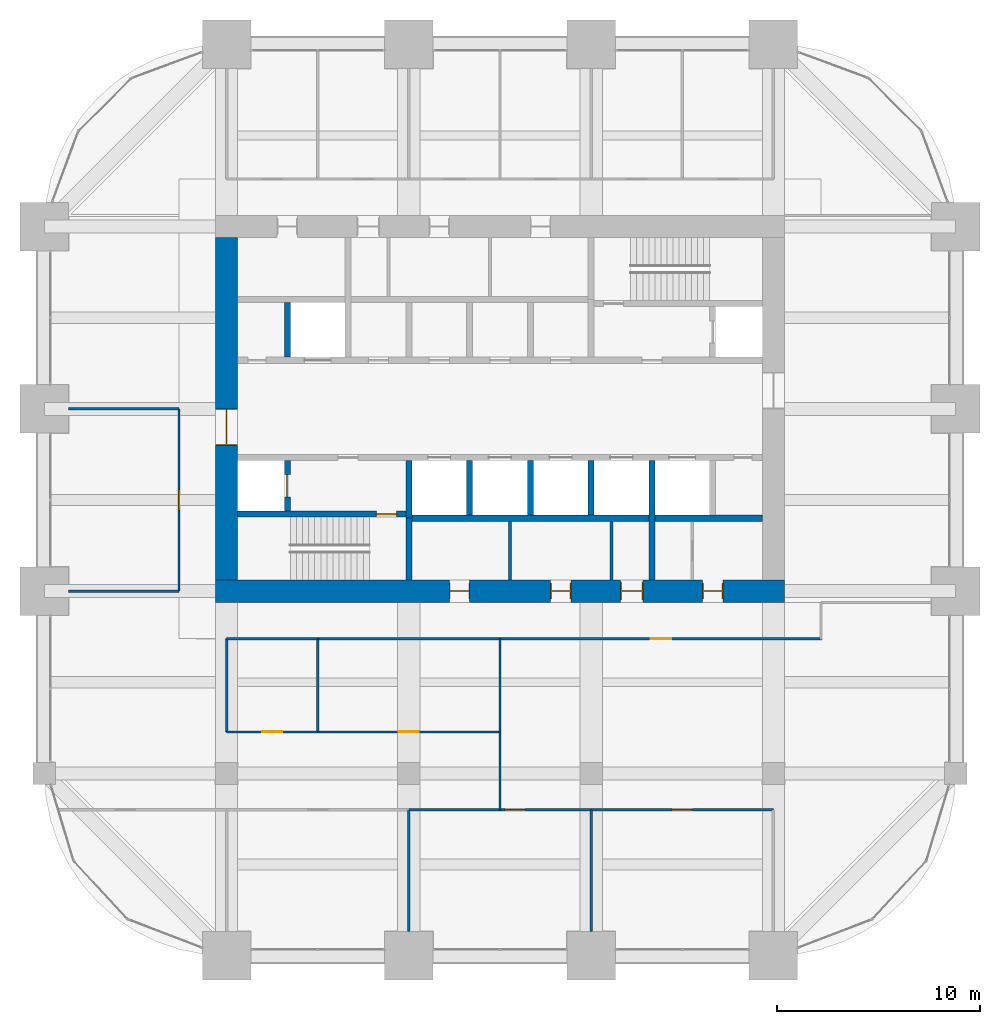
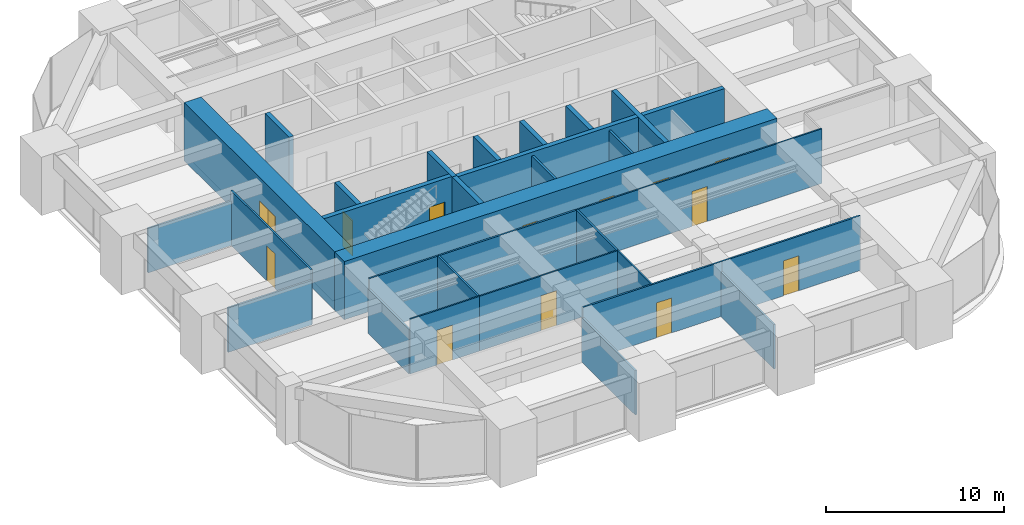
# One storey, part 42 of 45: 30 walls, 13 doors, 13 openings.
"""IFC4 building model written with IfcOpenShell, lengths in metres."""

from ifc_helpers import new_model, si_unit, direction, frame, frame_2d, origin, place, context, subcontext, project, spatial, rectangle, extrude, material, layer, layer_set, type_object, element, fill, save


model = new_model("IFC4")

# Units and contexts
model_context = context("Model", 3, precision=1e-05, world=origin(), true_north=direction((0.0, 1.0)))
body_context = subcontext(model_context, "Body", "Model", "MODEL_VIEW")
ifc_project = project(units=[si_unit("LENGTHUNIT", "METRE"), si_unit("AREAUNIT", "SQUARE_METRE"), si_unit("VOLUMEUNIT", "CUBIC_METRE"), si_unit("PLANEANGLEUNIT", "RADIAN"), si_unit("MASSUNIT", "GRAM", prefix="KILO")], contexts=[model_context])

# Site, building, storey
site_placement = place(None, origin())
site = spatial("IfcSite", under=ifc_project, at=site_placement, CompositionType="ELEMENT")
building_placement = place(site_placement, origin())
building = spatial("IfcBuilding", under=site, at=building_placement, Name="Zorevar Civic Tower", CompositionType="ELEMENT")
storey_placement = place(building_placement, frame((0.0, 0.0, 247.39990234375)))
storey = spatial("IfcBuildingStorey", under=building, at=storey_placement, Name="L60", CompositionType="ELEMENT", Elevation=247.39990234375)

# Wall, openings, doors
ifc_material_1 = material(Name="Concrete C50/60", Category="concrete")
ifc_layer_1 = layer(ifc_material_1, 1.10009765625)
ifc_layer_set_1 = layer_set([ifc_layer_1], Name="Core wall 1100")
wall_type_1 = type_object("IfcWallType", Name="Core wall 1100", PredefinedType="SHEAR", material=ifc_layer_set_1)
wall_1_placement = place(storey_placement, frame((17.449951171875, 18.0, 0.0), z_axis=(0.0, 0.0, 1.0), x_axis=(1.0, 0.0, 0.0)))
wall_1 = element("IfcWall", 1, at=wall_1_placement, inside=storey, type_object=wall_type_1, Name="Core wall S L60", PredefinedType="SHEAR", context=body_context, shape_type="SweptSolid", body=[
    extrude(rectangle(XDim=28.10009765625, YDim=1.10009765625, at=frame_2d((14.050048828125, 0.0))), origin(), (0.0, 0.0, 1.0), 4.0),
])
opening_1_placement = place(wall_1_placement, frame((11.550048828125, 0.0, 0.0)))
opening_1 = element("IfcOpeningElement", 2, at=opening_1_placement, cuts=wall_1, Name="Opening L60.03", PredefinedType="OPENING", context=body_context, shape_type="SweptSolid", body=[
    extrude(rectangle(XDim=1.0, YDim=2.39990234375, at=frame_2d((0.5, 1.199951171875))), frame((0.0, 0.56005859375, 0.0), z_axis=(0.0, -1.0, 0.0), x_axis=(1.0, 0.0, 0.0)), (0.0, 0.0, 1.0), 1.1201171875),
])
opening_2_placement = place(wall_1_placement, frame((16.550048828125, 0.0, 0.0)))
opening_2 = element("IfcOpeningElement", 3, at=opening_2_placement, cuts=wall_1, Name="Opening L60.04", PredefinedType="OPENING", context=body_context, shape_type="SweptSolid", body=[
    extrude(rectangle(XDim=1.0, YDim=2.39990234375, at=frame_2d((0.5, 1.199951171875))), frame((0.0, 0.56005859375, 0.0), z_axis=(0.0, -1.0, 0.0), x_axis=(1.0, 0.0, 0.0)), (0.0, 0.0, 1.0), 1.1201171875),
])
opening_3_placement = place(wall_1_placement, frame((20.0, 0.0, 0.0)))
opening_3 = element("IfcOpeningElement", 4, at=opening_3_placement, cuts=wall_1, Name="Opening L60.05", PredefinedType="OPENING", context=body_context, shape_type="SweptSolid", body=[
    extrude(rectangle(XDim=1.10009765625, YDim=2.39990234375, at=frame_2d((0.550048828125, 1.199951171875))), frame((0.0, 0.56005859375, 0.0), z_axis=(0.0, -1.0, 0.0), x_axis=(1.0, 0.0, 0.0)), (0.0, 0.0, 1.0), 1.1201171875),
])
opening_4_placement = place(wall_1_placement, frame((24.050048828125, 0.0, 0.0)))
opening_4 = element("IfcOpeningElement", 5, at=opening_4_placement, cuts=wall_1, Name="Opening L60.06", PredefinedType="OPENING", context=body_context, shape_type="SweptSolid", body=[
    extrude(rectangle(XDim=1.0, YDim=2.39990234375, at=frame_2d((0.5, 1.199951171875))), frame((0.0, 0.56005859375, 0.0), z_axis=(0.0, -1.0, 0.0), x_axis=(1.0, 0.0, 0.0)), (0.0, 0.0, 1.0), 1.1201171875),
])
ifc_material_2 = material(Name="Timber door set", Category="wood")
door_type_1 = type_object("IfcDoorType", Name="Door D1 1000x2400", OperationType="SINGLE_SWING_LEFT", PredefinedType="DOOR", material=ifc_material_2)
door_1_placement = place(opening_1_placement, origin())
door_1 = element("IfcDoor", 6, at=door_1_placement, inside=storey, type_object=door_type_1, Name="Door L60 02", OperationType="SINGLE_SWING_LEFT", OverallHeight=2.39990234375, OverallWidth=1.0, PredefinedType="DOOR", context=body_context, shape_type="SweptSolid", body=[
    extrude(rectangle(XDim=1.0, YDim=2.39990234375, at=frame_2d((0.5, 1.199951171875))), frame((0.0, 0.02490234375, 0.0), z_axis=(0.0, -1.0, 0.0), x_axis=(1.0, 0.0, 0.0)), (0.0, 0.0, 1.0), 0.050048828125),
    extrude(rectangle(XDim=0.04, YDim=2.39990234375, at=frame_2d((0.02001953125, 1.199951171875))), frame((0.0, 0.39990234375, 0.0), z_axis=(0.0, -1.0, 0.0), x_axis=(1.0, 0.0, 0.0)), (0.0, 0.0, 1.0), 0.800048828125),
    extrude(rectangle(XDim=0.04, YDim=2.39990234375, at=frame_2d((0.97998046875, 1.199951171875))), frame((0.0, 0.39990234375, 0.0), z_axis=(0.0, -1.0, 0.0), x_axis=(1.0, 0.0, 0.0)), (0.0, 0.0, 1.0), 0.800048828125),
    extrude(rectangle(XDim=1.0, YDim=0.04, at=frame_2d((0.5, 2.3798828125))), frame((0.0, 0.39990234375, 0.0), z_axis=(0.0, -1.0, 0.0), x_axis=(1.0, 0.0, 0.0)), (0.0, 0.0, 1.0), 0.800048828125),
])
fill(opening_1, door_1)
door_2_placement = place(opening_2_placement, origin())
door_2 = element("IfcDoor", 7, at=door_2_placement, inside=storey, type_object=door_type_1, Name="Door L60 03", OperationType="SINGLE_SWING_RIGHT", OverallHeight=2.39990234375, OverallWidth=1.0, PredefinedType="DOOR", context=body_context, shape_type="SweptSolid", body=[
    extrude(rectangle(XDim=1.0, YDim=2.39990234375, at=frame_2d((0.5, 1.199951171875))), frame((0.0, 0.02490234375, 0.0), z_axis=(0.0, -1.0, 0.0), x_axis=(1.0, 0.0, 0.0)), (0.0, 0.0, 1.0), 0.050048828125),
    extrude(rectangle(XDim=0.04, YDim=2.39990234375, at=frame_2d((0.02001953125, 1.199951171875))), frame((0.0, 0.39990234375, 0.0), z_axis=(0.0, -1.0, 0.0), x_axis=(1.0, 0.0, 0.0)), (0.0, 0.0, 1.0), 0.800048828125),
    extrude(rectangle(XDim=0.04, YDim=2.39990234375, at=frame_2d((0.97998046875, 1.199951171875))), frame((0.0, 0.39990234375, 0.0), z_axis=(0.0, -1.0, 0.0), x_axis=(1.0, 0.0, 0.0)), (0.0, 0.0, 1.0), 0.800048828125),
    extrude(rectangle(XDim=1.0, YDim=0.04, at=frame_2d((0.5, 2.3798828125))), frame((0.0, 0.39990234375, 0.0), z_axis=(0.0, -1.0, 0.0), x_axis=(1.0, 0.0, 0.0)), (0.0, 0.0, 1.0), 0.800048828125),
])
fill(opening_2, door_2)
door_3_placement = place(opening_4_placement, origin())
door_3 = element("IfcDoor", 8, at=door_3_placement, inside=storey, type_object=door_type_1, Name="Door L60 05", OperationType="SINGLE_SWING_RIGHT", OverallHeight=2.39990234375, OverallWidth=1.0, PredefinedType="DOOR", context=body_context, shape_type="SweptSolid", body=[
    extrude(rectangle(XDim=1.0, YDim=2.39990234375, at=frame_2d((0.5, 1.199951171875))), frame((0.0, 0.02490234375, 0.0), z_axis=(0.0, -1.0, 0.0), x_axis=(1.0, 0.0, 0.0)), (0.0, 0.0, 1.0), 0.050048828125),
    extrude(rectangle(XDim=0.04, YDim=2.39990234375, at=frame_2d((0.02001953125, 1.199951171875))), frame((0.0, 0.39990234375, 0.0), z_axis=(0.0, -1.0, 0.0), x_axis=(1.0, 0.0, 0.0)), (0.0, 0.0, 1.0), 0.800048828125),
    extrude(rectangle(XDim=0.04, YDim=2.39990234375, at=frame_2d((0.97998046875, 1.199951171875))), frame((0.0, 0.39990234375, 0.0), z_axis=(0.0, -1.0, 0.0), x_axis=(1.0, 0.0, 0.0)), (0.0, 0.0, 1.0), 0.800048828125),
    extrude(rectangle(XDim=1.0, YDim=0.04, at=frame_2d((0.5, 2.3798828125))), frame((0.0, 0.39990234375, 0.0), z_axis=(0.0, -1.0, 0.0), x_axis=(1.0, 0.0, 0.0)), (0.0, 0.0, 1.0), 0.800048828125),
])
fill(opening_4, door_3)
ifc_material_3 = material(Name="Timber door set", Category="wood")
door_type_2 = type_object("IfcDoorType", Name="Door D5 1100x2400", OperationType="SINGLE_SWING_LEFT", PredefinedType="DOOR", material=ifc_material_3)
door_4_placement = place(opening_3_placement, origin())
door_4 = element("IfcDoor", 9, at=door_4_placement, inside=storey, type_object=door_type_2, Name="Door L60 04", OperationType="SINGLE_SWING_RIGHT", OverallHeight=2.39990234375, OverallWidth=1.10009765625, PredefinedType="DOOR", context=body_context, shape_type="SweptSolid", body=[
    extrude(rectangle(XDim=1.10009765625, YDim=2.39990234375, at=frame_2d((0.550048828125, 1.199951171875))), frame((0.0, 0.02490234375, 0.0), z_axis=(0.0, -1.0, 0.0), x_axis=(1.0, 0.0, 0.0)), (0.0, 0.0, 1.0), 0.050048828125),
    extrude(rectangle(XDim=0.04, YDim=2.39990234375, at=frame_2d((0.02001953125, 1.199951171875))), frame((0.0, 0.43994140625, 0.0), z_axis=(0.0, -1.0, 0.0), x_axis=(1.0, 0.0, 0.0)), (0.0, 0.0, 1.0), 0.880126953125),
    extrude(rectangle(XDim=0.04, YDim=2.39990234375, at=frame_2d((1.080078125, 1.199951171875))), frame((0.0, 0.43994140625, 0.0), z_axis=(0.0, -1.0, 0.0), x_axis=(1.0, 0.0, 0.0)), (0.0, 0.0, 1.0), 0.880126953125),
    extrude(rectangle(XDim=1.10009765625, YDim=0.04, at=frame_2d((0.550048828125, 2.3798828125))), frame((0.0, 0.43994140625, 0.0), z_axis=(0.0, -1.0, 0.0), x_axis=(1.0, 0.0, 0.0)), (0.0, 0.0, 1.0), 0.880126953125),
])
fill(opening_3, door_4)

# Wall, opening, door
wall_2_placement = place(storey_placement, frame((18.0, 35.449951171875, 0.0), z_axis=(0.0, 0.0, 1.0), x_axis=(0.0, -1.0, 0.0)))
wall_2 = element("IfcWall", 10, at=wall_2_placement, inside=storey, type_object=wall_type_1, Name="Core wall W L60", PredefinedType="SHEAR", context=body_context, shape_type="SweptSolid", body=[
    extrude(rectangle(XDim=16.89990234375, YDim=1.10009765625, at=frame_2d((8.449951171875, 0.0))), origin(), (0.0, 0.0, 1.0), 4.0),
])
opening_5_placement = place(wall_2_placement, frame((8.449951171875, 0.0, 0.0)))
opening_5 = element("IfcOpeningElement", 11, at=opening_5_placement, cuts=wall_2, Name="Opening L60.01", PredefinedType="OPENING", context=body_context, shape_type="SweptSolid", body=[
    extrude(rectangle(XDim=1.800048828125, YDim=2.39990234375, at=frame_2d((0.89990234375, 1.199951171875))), frame((0.0, 0.56005859375, 0.0), z_axis=(0.0, -1.0, 0.0), x_axis=(1.0, 0.0, 0.0)), (0.0, 0.0, 1.0), 1.1201171875),
])
ifc_material_4 = material(Name="Steel door set", Category="steel")
door_type_3 = type_object("IfcDoorType", Name="Fire door FD2 1800x2400", OperationType="DOUBLE_DOOR_DOUBLE_SWING", PredefinedType="DOOR", material=ifc_material_4)
door_5_placement = place(opening_5_placement, origin())
door_5 = element("IfcDoor", 12, at=door_5_placement, inside=storey, type_object=door_type_3, Name="Door L60 00", OperationType="DOUBLE_DOOR_DOUBLE_SWING", OverallHeight=2.39990234375, OverallWidth=1.800048828125, PredefinedType="DOOR", context=body_context, shape_type="SweptSolid", body=[
    extrude(rectangle(XDim=1.800048828125, YDim=2.39990234375, at=frame_2d((0.89990234375, 1.199951171875))), frame((0.0, 0.030029296875, 0.0), z_axis=(0.0, -1.0, 0.0), x_axis=(1.0, 0.0, 0.0)), (0.0, 0.0, 1.0), 0.06005859375),
    extrude(rectangle(XDim=0.04, YDim=2.39990234375, at=frame_2d((0.02001953125, 1.199951171875))), frame((0.0, 0.5498046875, 0.0), z_axis=(0.0, -1.0, 0.0), x_axis=(1.0, 0.0, 0.0)), (0.0, 0.0, 1.0), 1.099609375),
    extrude(rectangle(XDim=0.04, YDim=2.39990234375, at=frame_2d((1.780029296875, 1.199951171875))), frame((0.0, 0.5498046875, 0.0), z_axis=(0.0, -1.0, 0.0), x_axis=(1.0, 0.0, 0.0)), (0.0, 0.0, 1.0), 1.099609375),
    extrude(rectangle(XDim=1.800048828125, YDim=0.04, at=frame_2d((0.89990234375, 2.3798828125))), frame((0.0, 0.5498046875, 0.0), z_axis=(0.0, -1.0, 0.0), x_axis=(1.0, 0.0, 0.0)), (0.0, 0.0, 1.0), 1.099609375),
])
fill(opening_5, door_5)

ifc_material_5 = material(Name="Laminated glass in black aluminium frame", Category="aluminium")
ifc_layer_2 = layer(ifc_material_5, 0.10009765625)
ifc_layer_set_2 = layer_set([ifc_layer_2], Name="Glazed partition 100")
wall_type_2 = type_object("IfcWallType", Name="Glazed partition 100", PredefinedType="PARTITIONING", material=ifc_layer_set_2)
wall_3_placement = place(storey_placement, frame((18.0, 11.050048828125, 0.0), z_axis=(0.0, 0.0, 1.0), x_axis=(1.0, 0.0, 0.0)))
wall_3 = element("IfcWall", 13, at=wall_3_placement, inside=storey, type_object=wall_type_2, Name="Glazed partition 100 L60", PredefinedType="PARTITIONING", context=body_context, shape_type="SweptSolid", body=[
    extrude(rectangle(XDim=4.5, YDim=0.10009765625, at=frame_2d((2.25, 0.0))), origin(), (0.0, 0.0, 1.0), 3.75),
])
opening_6_placement = place(wall_3_placement, frame((1.75, 0.0, 0.0)))
opening_6 = element("IfcOpeningElement", 14, at=opening_6_placement, cuts=wall_3, Name="Opening L60.21", PredefinedType="OPENING", context=body_context, shape_type="SweptSolid", body=[
    extrude(rectangle(XDim=1.0, YDim=2.39990234375, at=frame_2d((0.5, 1.199951171875))), frame((0.0, 0.06005859375, 0.0), z_axis=(0.0, -1.0, 0.0), x_axis=(1.0, 0.0, 0.0)), (0.0, 0.0, 1.0), 0.1201171875),
])
ifc_material_6 = material(Name="Timber door set", Category="wood")
door_type_4 = type_object("IfcDoorType", Name="Glazed door GD1 1000x2400", OperationType="SINGLE_SWING_LEFT", PredefinedType="DOOR", material=ifc_material_6)
door_6_placement = place(opening_6_placement, origin())
door_6 = element("IfcDoor", 15, at=door_6_placement, inside=storey, type_object=door_type_4, Name="Door L60 D1", OperationType="SINGLE_SWING_LEFT", OverallHeight=2.39990234375, OverallWidth=1.0, PredefinedType="DOOR", context=body_context, shape_type="SweptSolid", body=[
    extrude(rectangle(XDim=1.0, YDim=2.39990234375, at=frame_2d((0.5, 1.199951171875))), frame((0.0, 0.02001953125, 0.0), z_axis=(0.0, -1.0, 0.0), x_axis=(1.0, 0.0, 0.0)), (0.0, 0.0, 1.0), 0.0400390625),
])
fill(opening_6, door_6)

wall_4_placement = place(storey_placement, frame((22.5, 11.050048828125, 0.0), z_axis=(0.0, 0.0, 1.0), x_axis=(1.0, 0.0, 0.0)))
wall_4 = element("IfcWall", 16, at=wall_4_placement, inside=storey, type_object=wall_type_2, Name="Glazed partition 100 L60", PredefinedType="PARTITIONING", context=body_context, shape_type="SweptSolid", body=[
    extrude(rectangle(XDim=9.0, YDim=0.10009765625, at=frame_2d((4.5, 0.0))), origin(), (0.0, 0.0, 1.0), 3.75),
])
opening_7_placement = place(wall_4_placement, frame((4.0, 0.0, 0.0)))
opening_7 = element("IfcOpeningElement", 17, at=opening_7_placement, cuts=wall_4, Name="Opening L60.22", PredefinedType="OPENING", context=body_context, shape_type="SweptSolid", body=[
    extrude(rectangle(XDim=1.0, YDim=2.39990234375, at=frame_2d((0.5, 1.199951171875))), frame((0.0, 0.06005859375, 0.0), z_axis=(0.0, -1.0, 0.0), x_axis=(1.0, 0.0, 0.0)), (0.0, 0.0, 1.0), 0.1201171875),
])
door_7_placement = place(opening_7_placement, origin())
door_7 = element("IfcDoor", 18, at=door_7_placement, inside=storey, type_object=door_type_4, Name="Door L60 D1", OperationType="SINGLE_SWING_RIGHT", OverallHeight=2.39990234375, OverallWidth=1.0, PredefinedType="DOOR", context=body_context, shape_type="SweptSolid", body=[
    extrude(rectangle(XDim=1.0, YDim=2.39990234375, at=frame_2d((0.5, 1.199951171875))), frame((0.0, 0.02001953125, 0.0), z_axis=(0.0, -1.0, 0.0), x_axis=(1.0, 0.0, 0.0)), (0.0, 0.0, 1.0), 0.0400390625),
])
fill(opening_7, door_7)

wall_5_placement = place(storey_placement, frame((31.510009765625, 15.64990234375, 0.0), z_axis=(0.0, 0.0, 1.0), x_axis=(1.0, 0.0, 0.0)))
wall_5 = element("IfcWall", 19, at=wall_5_placement, inside=storey, type_object=wall_type_2, Name="Glazed partition 100 L60", PredefinedType="PARTITIONING", context=body_context, shape_type="SweptSolid", body=[
    extrude(rectangle(XDim=15.889892578125, YDim=0.10009765625, at=frame_2d((7.94482421875, 0.0))), origin(), (0.0, 0.0, 1.0), 3.75),
])
opening_8_placement = place(wall_5_placement, frame((7.445068359375, 0.0, 0.0)))
opening_8 = element("IfcOpeningElement", 20, at=opening_8_placement, cuts=wall_5, Name="Opening L60.23", PredefinedType="OPENING", context=body_context, shape_type="SweptSolid", body=[
    extrude(rectangle(XDim=1.0, YDim=2.39990234375, at=frame_2d((0.5, 1.199951171875))), frame((0.0, 0.06005859375, 0.0), z_axis=(0.0, -1.0, 0.0), x_axis=(1.0, 0.0, 0.0)), (0.0, 0.0, 1.0), 0.1201171875),
])
door_8_placement = place(opening_8_placement, origin())
door_8 = element("IfcDoor", 21, at=door_8_placement, inside=storey, type_object=door_type_4, Name="Door L60 D1", OperationType="SINGLE_SWING_LEFT", OverallHeight=2.39990234375, OverallWidth=1.0, PredefinedType="DOOR", context=body_context, shape_type="SweptSolid", body=[
    extrude(rectangle(XDim=1.0, YDim=2.39990234375, at=frame_2d((0.5, 1.199951171875))), frame((0.0, 0.02001953125, 0.0), z_axis=(0.0, -1.0, 0.0), x_axis=(1.0, 0.0, 0.0)), (0.0, 0.0, 1.0), 0.0400390625),
])
fill(opening_8, door_8)

# Wall
wall_6_placement = place(storey_placement, frame((31.5, 7.18994140625, 0.0), z_axis=(0.0, 0.0, 1.0), x_axis=(0.0, 1.0, 0.0)))
element("IfcWall", 22, at=wall_6_placement, inside=storey, type_object=wall_type_2, Name="Glazed partition 100 L60", PredefinedType="PARTITIONING", context=body_context, shape_type="SweptSolid", body=[
    extrude(rectangle(XDim=3.860107421875, YDim=0.10009765625, at=frame_2d((1.93017578125, 0.0))), origin(), (0.0, 0.0, 1.0), 3.75),
])

# Wall, opening, door
ifc_material_7 = material(Name="Concrete C40/50", Category="concrete")
ifc_layer_3 = layer(ifc_material_7, 0.300048828125)
ifc_layer_set_3 = layer_set([ifc_layer_3], Name="Inner core wall 300")
wall_type_3 = type_object("IfcWallType", Name="Inner core wall 300", PredefinedType="SHEAR", material=ifc_layer_set_3)
wall_7_placement = place(storey_placement, frame((18.550048828125, 21.800048828125, 0.0), z_axis=(0.0, 0.0, 1.0), x_axis=(1.0, 0.0, 0.0)))
wall_7 = element("IfcWall", 23, at=wall_7_placement, inside=storey, type_object=wall_type_3, Name="Inner core wall S00 L60", PredefinedType="SHEAR", context=body_context, shape_type="SweptSolid", body=[
    extrude(rectangle(XDim=8.300048828125, YDim=0.300048828125, at=frame_2d((4.14990234375, 0.0))), origin(), (0.0, 0.0, 1.0), 4.0),
])
opening_9_placement = place(wall_7_placement, frame((6.85009765625, 0.0, 0.0)))
opening_9 = element("IfcOpeningElement", 24, at=opening_9_placement, cuts=wall_7, Name="Opening L60.11", PredefinedType="OPENING", context=body_context, shape_type="SweptSolid", body=[
    extrude(rectangle(XDim=1.0, YDim=2.39990234375, at=frame_2d((0.5, 1.199951171875))), frame((0.0, 0.159912109375, 0.0), z_axis=(0.0, -1.0, 0.0), x_axis=(1.0, 0.0, 0.0)), (0.0, 0.0, 1.0), 0.320068359375),
])
ifc_material_8 = material(Name="Steel door set", Category="steel")
door_type_5 = type_object("IfcDoorType", Name="Fire door FD1 1000x2400", OperationType="SINGLE_SWING_LEFT", PredefinedType="DOOR", material=ifc_material_8)
door_9_placement = place(opening_9_placement, origin())
door_9 = element("IfcDoor", 25, at=door_9_placement, inside=storey, type_object=door_type_5, Name="Door L60 10", OperationType="SINGLE_SWING_RIGHT", OverallHeight=2.39990234375, OverallWidth=1.0, PredefinedType="DOOR", context=body_context, shape_type="SweptSolid", body=[
    extrude(rectangle(XDim=1.0, YDim=2.39990234375, at=frame_2d((0.5, 1.199951171875))), frame((0.0, 0.030029296875, 0.0), z_axis=(0.0, -1.0, 0.0), x_axis=(1.0, 0.0, 0.0)), (0.0, 0.0, 1.0), 0.06005859375),
])
fill(opening_9, door_9)

# Wall
wall_8_placement = place(storey_placement, frame((27.0, 18.550048828125, 0.0), z_axis=(0.0, 0.0, 1.0), x_axis=(0.0, 1.0, 0.0)))
element("IfcWall", 26, at=wall_8_placement, inside=storey, type_object=wall_type_3, Name="Inner core wall S01 L60", PredefinedType="SHEAR", context=body_context, shape_type="SweptSolid", body=[
    extrude(rectangle(XDim=3.050048828125, YDim=0.300048828125, at=frame_2d((1.52490234375, 0.0))), origin(), (0.0, 0.0, 1.0), 4.0),
])

# Wall, opening, door
wall_9_placement = place(storey_placement, frame((21.0, 21.949951171875, 0.0), z_axis=(0.0, 0.0, 1.0), x_axis=(0.0, 1.0, 0.0)))
wall_9 = element("IfcWall", 27, at=wall_9_placement, inside=storey, type_object=wall_type_3, Name="Inner core wall S02 L60", PredefinedType="SHEAR", context=body_context, shape_type="SweptSolid", body=[
    extrude(rectangle(XDim=2.5, YDim=0.300048828125, at=frame_2d((1.25, 0.0))), origin(), (0.0, 0.0, 1.0), 4.0),
])
opening_10_placement = place(wall_9_placement, frame((0.699951171875, 0.0, 0.0)))
opening_10 = element("IfcOpeningElement", 28, at=opening_10_placement, cuts=wall_9, Name="Opening L60.FL1", PredefinedType="OPENING", context=body_context, shape_type="SweptSolid", body=[
    extrude(rectangle(XDim=1.10009765625, YDim=2.39990234375, at=frame_2d((0.550048828125, 1.199951171875))), frame((0.0, 0.159912109375, 0.0), z_axis=(0.0, -1.0, 0.0), x_axis=(1.0, 0.0, 0.0)), (0.0, 0.0, 1.0), 0.320068359375),
])
ifc_material_9 = material(Name="Steel door set", Category="steel")
door_type_6 = type_object("IfcDoorType", Name="Firefighting lift landing door LD3 1100x2400", OperationType="DOUBLE_DOOR_SLIDING", PredefinedType="DOOR", material=ifc_material_9)
door_10_placement = place(opening_10_placement, origin())
door_10 = element("IfcDoor", 29, at=door_10_placement, inside=storey, type_object=door_type_6, Name="Landing door FL1 L60", OperationType="DOUBLE_DOOR_SLIDING", OverallHeight=2.39990234375, OverallWidth=1.10009765625, PredefinedType="DOOR", context=body_context, shape_type="SweptSolid", body=[
    extrude(rectangle(XDim=1.10009765625, YDim=2.39990234375, at=frame_2d((0.550048828125, 1.199951171875))), frame((0.0, 0.030029296875, 0.0), z_axis=(0.0, -1.0, 0.0), x_axis=(1.0, 0.0, 0.0)), (0.0, 0.0, 1.0), 0.06005859375),
])
fill(opening_10, door_10)

# Walls
wall_10_placement = place(storey_placement, frame((27.14990234375, 21.60009765625, 0.0), z_axis=(0.0, 0.0, 1.0), x_axis=(1.0, 0.0, 0.0)))
element("IfcWall", 30, at=wall_10_placement, inside=storey, type_object=wall_type_3, Name="Inner core wall S04 L60", PredefinedType="SHEAR", context=body_context, shape_type="SweptSolid", body=[
    extrude(rectangle(XDim=17.300048828125, YDim=0.300048828125, at=frame_2d((8.64990234375, 0.0))), origin(), (0.0, 0.0, 1.0), 4.0),
])
for number, where, z_axis, x_axis, name in (
    (31, (30.0, 21.75, 0.0), (0.0, 0.0, 1.0), (0.0, 1.0, 0.0), "Inner core wall S05 L60"),
    (32, (33.0, 21.75, 0.0), (0.0, 0.0, 1.0), (0.0, 1.0, 0.0), "Inner core wall S06 L60"),
    (33, (36.0, 21.75, 0.0), (0.0, 0.0, 1.0), (0.0, 1.0, 0.0), "Inner core wall S07 L60"),
):
    element("IfcWall", number, at=place(storey_placement, frame(where, z_axis=z_axis, x_axis=x_axis)), inside=storey, type_object=wall_type_3, Name=name, PredefinedType="SHEAR", context=body_context, shape_type="SweptSolid", body=[
        extrude(rectangle(XDim=2.699951171875, YDim=0.300048828125, at=frame_2d((1.35009765625, 0.0))), origin(), (0.0, 0.0, 1.0), 4.0),
    ])
wall_11_placement = place(storey_placement, frame((39.0, 18.550048828125, 0.0), z_axis=(0.0, 0.0, 1.0), x_axis=(0.0, 1.0, 0.0)))
element("IfcWall", 34, at=wall_11_placement, inside=storey, type_object=wall_type_3, Name="Inner core wall S08 L60", PredefinedType="SHEAR", context=body_context, shape_type="SweptSolid", body=[
    extrude(rectangle(XDim=5.89990234375, YDim=0.300048828125, at=frame_2d((2.949951171875, 0.0))), origin(), (0.0, 0.0, 1.0), 4.0),
])
wall_12_placement = place(storey_placement, frame((21.0, 29.550048828125, 0.0), z_axis=(0.0, 0.0, 1.0), x_axis=(0.0, 1.0, 0.0)))
element("IfcWall", 35, at=wall_12_placement, inside=storey, type_object=wall_type_3, Name="Inner core wall N09 L60", PredefinedType="SHEAR", context=body_context, shape_type="SweptSolid", body=[
    extrude(rectangle(XDim=2.699951171875, YDim=0.300048828125, at=frame_2d((1.35009765625, 0.0))), origin(), (0.0, 0.0, 1.0), 4.0),
])
wall_13_placement = place(storey_placement, frame((27.0, 21.60009765625, 0.0), z_axis=(0.0, 0.0, 1.0), x_axis=(0.0, 1.0, 0.0)))
element("IfcWall", 36, at=wall_13_placement, inside=storey, type_object=wall_type_3, Name="Inner core wall S10 L60", PredefinedType="SHEAR", context=body_context, shape_type="SweptSolid", body=[
    extrude(rectangle(XDim=2.849853515625, YDim=0.300048828125, at=frame_2d((1.4248046875, 0.0))), origin(), (0.0, 0.0, 1.0), 4.0),
])

# Wall, opening, door
ifc_material_10 = material(Name="Gypsum board on steel studs", Category="steel")
ifc_layer_4 = layer(ifc_material_10, 0.1201171875)
ifc_layer_set_4 = layer_set([ifc_layer_4], Name="Partition 120")
wall_type_4 = type_object("IfcWallType", Name="Partition 120", PredefinedType="PARTITIONING", material=ifc_layer_set_4)
wall_14_placement = place(storey_placement, frame((27.0, 7.199951171875, 0.0), z_axis=(0.0, 0.0, 1.0), x_axis=(1.0, 0.0, 0.0)))
wall_14 = element("IfcWall", 37, at=wall_14_placement, inside=storey, type_object=wall_type_4, Name="Partition 120 L60", PredefinedType="PARTITIONING", context=body_context, shape_type="SweptSolid", body=[
    extrude(rectangle(XDim=9.0, YDim=0.1201171875, at=frame_2d((4.5, 0.0))), origin(), (0.0, 0.0, 1.0), 3.75),
])
opening_11_placement = place(wall_14_placement, frame((4.75, 0.0, 0.0)))
opening_11 = element("IfcOpeningElement", 38, at=opening_11_placement, cuts=wall_14, Name="Opening L60.18", PredefinedType="OPENING", context=body_context, shape_type="SweptSolid", body=[
    extrude(rectangle(XDim=1.0, YDim=2.39990234375, at=frame_2d((0.5, 1.199951171875))), frame((0.0, 0.070068359375, 0.0), z_axis=(0.0, -1.0, 0.0), x_axis=(1.0, 0.0, 0.0)), (0.0, 0.0, 1.0), 0.14013671875),
])
door_11_placement = place(opening_11_placement, origin())
door_11 = element("IfcDoor", 39, at=door_11_placement, inside=storey, type_object=door_type_1, Name="Door L60 D1", OperationType="SINGLE_SWING_LEFT", OverallHeight=2.39990234375, OverallWidth=1.0, PredefinedType="DOOR", context=body_context, shape_type="SweptSolid", body=[
    extrude(rectangle(XDim=1.0, YDim=2.39990234375, at=frame_2d((0.5, 1.199951171875))), frame((0.0, 0.02490234375, 0.0), z_axis=(0.0, -1.0, 0.0), x_axis=(1.0, 0.0, 0.0)), (0.0, 0.0, 1.0), 0.050048828125),
])
fill(opening_11, door_11)

wall_15_placement = place(storey_placement, frame((36.0, 7.199951171875, 0.0), z_axis=(0.0, 0.0, 1.0), x_axis=(1.0, 0.0, 0.0)))
wall_15 = element("IfcWall", 40, at=wall_15_placement, inside=storey, type_object=wall_type_4, Name="Partition 120 L60", PredefinedType="PARTITIONING", context=body_context, shape_type="SweptSolid", body=[
    extrude(rectangle(XDim=9.0, YDim=0.1201171875, at=frame_2d((4.5, 0.0))), origin(), (0.0, 0.0, 1.0), 3.75),
])
opening_12_placement = place(wall_15_placement, frame((4.0, 0.0, 0.0)))
opening_12 = element("IfcOpeningElement", 41, at=opening_12_placement, cuts=wall_15, Name="Opening L60.19", PredefinedType="OPENING", context=body_context, shape_type="SweptSolid", body=[
    extrude(rectangle(XDim=1.0, YDim=2.39990234375, at=frame_2d((0.5, 1.199951171875))), frame((0.0, 0.070068359375, 0.0), z_axis=(0.0, -1.0, 0.0), x_axis=(1.0, 0.0, 0.0)), (0.0, 0.0, 1.0), 0.14013671875),
])
door_12_placement = place(opening_12_placement, origin())
door_12 = element("IfcDoor", 42, at=door_12_placement, inside=storey, type_object=door_type_1, Name="Door L60 D1", OperationType="SINGLE_SWING_RIGHT", OverallHeight=2.39990234375, OverallWidth=1.0, PredefinedType="DOOR", context=body_context, shape_type="SweptSolid", body=[
    extrude(rectangle(XDim=1.0, YDim=2.39990234375, at=frame_2d((0.5, 1.199951171875))), frame((0.0, 0.02490234375, 0.0), z_axis=(0.0, -1.0, 0.0), x_axis=(1.0, 0.0, 0.0)), (0.0, 0.0, 1.0), 0.050048828125),
])
fill(opening_12, door_12)

# Walls
wall_16_placement = place(storey_placement, frame((18.0, 15.64990234375, 0.0), z_axis=(0.0, 0.0, 1.0), x_axis=(1.0, 0.0, 0.0)))
element("IfcWall", 43, at=wall_16_placement, inside=storey, type_object=wall_type_4, Name="Partition 120 L60", PredefinedType="PARTITIONING", context=body_context, shape_type="SweptSolid", body=[
    extrude(rectangle(XDim=4.5, YDim=0.1201171875, at=frame_2d((2.25, 0.0))), origin(), (0.0, 0.0, 1.0), 3.75),
])
wall_17_placement = place(storey_placement, frame((22.5, 15.64990234375, 0.0), z_axis=(0.0, 0.0, 1.0), x_axis=(1.0, 0.0, 0.0)))
element("IfcWall", 44, at=wall_17_placement, inside=storey, type_object=wall_type_4, Name="Partition 120 L60", PredefinedType="PARTITIONING", context=body_context, shape_type="SweptSolid", body=[
    extrude(rectangle(XDim=9.0, YDim=0.1201171875, at=frame_2d((4.5, 0.0))), origin(), (0.0, 0.0, 1.0), 3.75),
])
for number, where, z_axis, x_axis, name in (
    (45, (10.199951171875, 18.0, 0.0), (0.0, 0.0, 1.0), (1.0, 0.0, 0.0), "Partition 120 L60"),
    (46, (10.199951171875, 27.0, 0.0), (0.0, 0.0, 1.0), (1.0, 0.0, 0.0), "Partition 120 L60"),
):
    element("IfcWall", number, at=place(storey_placement, frame(where, z_axis=z_axis, x_axis=x_axis)), inside=storey, type_object=wall_type_4, Name=name, PredefinedType="PARTITIONING", context=body_context, shape_type="SweptSolid", body=[
        extrude(rectangle(XDim=5.449951171875, YDim=0.1201171875, at=frame_2d((2.72509765625, 0.0))), origin(), (0.0, 0.0, 1.0), 3.050048828125),
    ])

# Wall, opening, door
wall_18_placement = place(storey_placement, frame((15.64990234375, 18.0, 0.0), z_axis=(0.0, 0.0, 1.0), x_axis=(0.0, 1.0, 0.0)))
wall_18 = element("IfcWall", 47, at=wall_18_placement, inside=storey, type_object=wall_type_4, Name="Partition 120 L60", PredefinedType="PARTITIONING", context=body_context, shape_type="SweptSolid", body=[
    extrude(rectangle(XDim=9.0, YDim=0.1201171875, at=frame_2d((4.5, 0.0))), origin(), (0.0, 0.0, 1.0), 3.75),
])
opening_13_placement = place(wall_18_placement, frame((4.0, 0.0, 0.0)))
opening_13 = element("IfcOpeningElement", 48, at=opening_13_placement, cuts=wall_18, Name="Opening L60.30", PredefinedType="OPENING", context=body_context, shape_type="SweptSolid", body=[
    extrude(rectangle(XDim=1.0, YDim=2.39990234375, at=frame_2d((0.5, 1.199951171875))), frame((0.0, 0.070068359375, 0.0), z_axis=(0.0, -1.0, 0.0), x_axis=(1.0, 0.0, 0.0)), (0.0, 0.0, 1.0), 0.14013671875),
])
door_13_placement = place(opening_13_placement, origin())
door_13 = element("IfcDoor", 49, at=door_13_placement, inside=storey, type_object=door_type_1, Name="Door L60 D1", OperationType="SINGLE_SWING_LEFT", OverallHeight=2.39990234375, OverallWidth=1.0, PredefinedType="DOOR", context=body_context, shape_type="SweptSolid", body=[
    extrude(rectangle(XDim=1.0, YDim=2.39990234375, at=frame_2d((0.5, 1.199951171875))), frame((0.0, 0.02490234375, 0.0), z_axis=(0.0, -1.0, 0.0), x_axis=(1.0, 0.0, 0.0)), (0.0, 0.0, 1.0), 0.050048828125),
])
fill(opening_13, door_13)

# Walls
wall_19_placement = place(storey_placement, frame((18.0, 11.050048828125, 0.0), z_axis=(0.0, 0.0, 1.0), x_axis=(0.0, 1.0, 0.0)))
element("IfcWall", 50, at=wall_19_placement, inside=storey, type_object=wall_type_4, Name="Partition 120 L60", PredefinedType="PARTITIONING", context=body_context, shape_type="SweptSolid", body=[
    extrude(rectangle(XDim=4.599853515625, YDim=0.1201171875, at=frame_2d((2.2998046875, 0.0))), origin(), (0.0, 0.0, 1.0), 3.050048828125),
])
wall_20_placement = place(storey_placement, frame((22.5, 11.050048828125, 0.0), z_axis=(0.0, 0.0, 1.0), x_axis=(0.0, 1.0, 0.0)))
element("IfcWall", 51, at=wall_20_placement, inside=storey, type_object=wall_type_4, Name="Partition 120 L60", PredefinedType="PARTITIONING", context=body_context, shape_type="SweptSolid", body=[
    extrude(rectangle(XDim=4.599853515625, YDim=0.1201171875, at=frame_2d((2.2998046875, 0.0))), origin(), (0.0, 0.0, 1.0), 3.75),
])
wall_21_placement = place(storey_placement, frame((27.0, 1.199951171875, 0.0), z_axis=(0.0, 0.0, 1.0), x_axis=(0.0, 1.0, 0.0)))
element("IfcWall", 52, at=wall_21_placement, inside=storey, type_object=wall_type_4, Name="Partition 120 L60", PredefinedType="PARTITIONING", context=body_context, shape_type="SweptSolid", body=[
    extrude(rectangle(XDim=6.0, YDim=0.1201171875, at=frame_2d((3.0, 0.0))), origin(), (0.0, 0.0, 1.0), 3.050048828125),
])
wall_22_placement = place(storey_placement, frame((31.5, 11.050048828125, 0.0), z_axis=(0.0, 0.0, 1.0), x_axis=(0.0, 1.0, 0.0)))
element("IfcWall", 53, at=wall_22_placement, inside=storey, type_object=wall_type_4, Name="Partition 120 L60", PredefinedType="PARTITIONING", context=body_context, shape_type="SweptSolid", body=[
    extrude(rectangle(XDim=4.599853515625, YDim=0.1201171875, at=frame_2d((2.2998046875, 0.0))), origin(), (0.0, 0.0, 1.0), 3.75),
])
wall_23_placement = place(storey_placement, frame((36.0, 1.199951171875, 0.0), z_axis=(0.0, 0.0, 1.0), x_axis=(0.0, 1.0, 0.0)))
element("IfcWall", 54, at=wall_23_placement, inside=storey, type_object=wall_type_4, Name="Partition 120 L60", PredefinedType="PARTITIONING", context=body_context, shape_type="SweptSolid", body=[
    extrude(rectangle(XDim=6.0, YDim=0.1201171875, at=frame_2d((3.0, 0.0))), origin(), (0.0, 0.0, 1.0), 3.050048828125),
])
ifc_material_11 = material(Name="Gypsum board on steel studs, moisture resistant", Category="steel")
ifc_layer_5 = layer(ifc_material_11, 0.14990234375)
ifc_layer_set_5 = layer_set([ifc_layer_5], Name="WC partition 150")
wall_type_5 = type_object("IfcWallType", Name="WC partition 150", PredefinedType="PARTITIONING", material=ifc_layer_set_5)
for number, where, z_axis, x_axis, name in (
    (55, (32.0, 18.550048828125, 0.0), (0.0, 0.0, 1.0), (0.0, 1.0, 0.0), "WC partition L60"),
    (56, (37.0, 18.550048828125, 0.0), (0.0, 0.0, 1.0), (0.0, 1.0, 0.0), "WC partition L60"),
):
    element("IfcWall", number, at=place(storey_placement, frame(where, z_axis=z_axis, x_axis=x_axis)), inside=storey, type_object=wall_type_5, Name=name, PredefinedType="PARTITIONING", context=body_context, shape_type="SweptSolid", body=[
        extrude(rectangle(XDim=2.89990234375, YDim=0.14990234375, at=frame_2d((1.449951171875, 0.0))), origin(), (0.0, 0.0, 1.0), 3.75),
    ])

save(model, "model.ifc")
